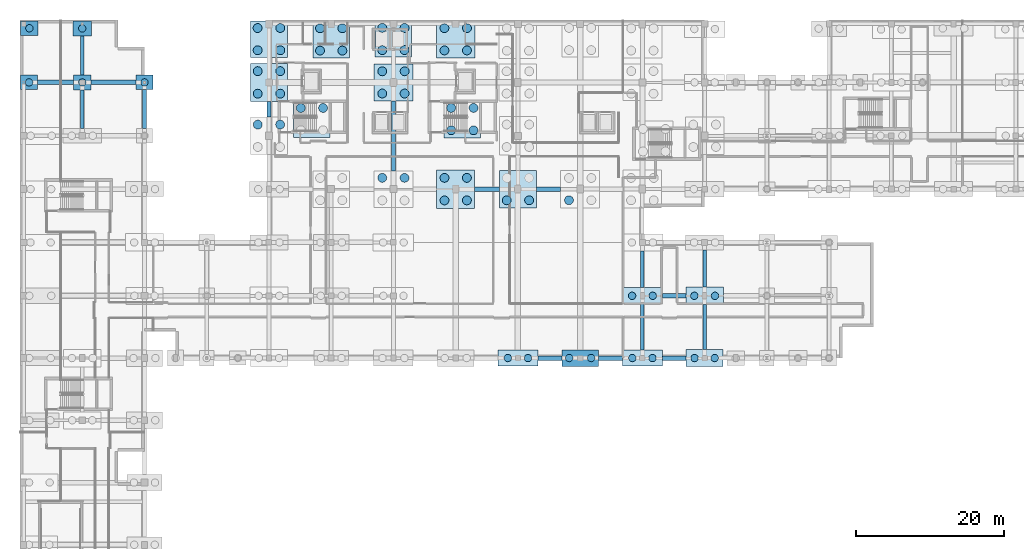
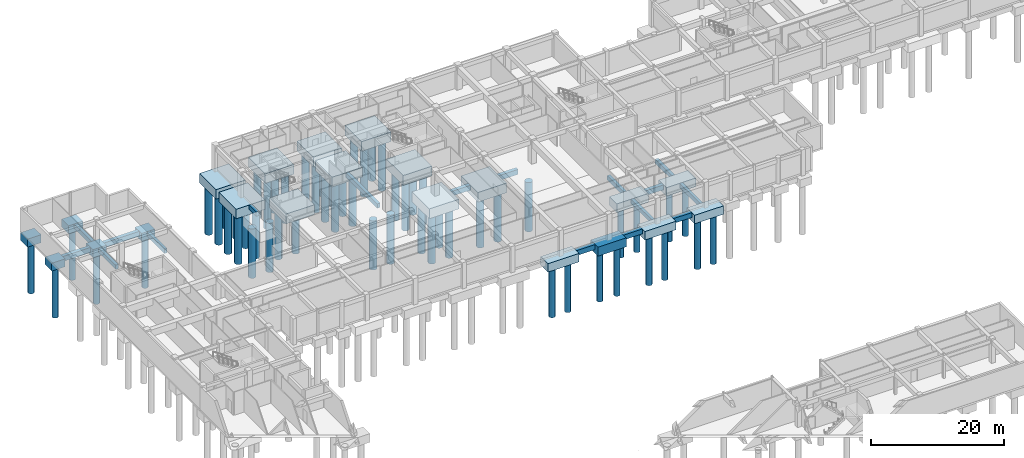
# One storey, part 5 of 42: 58 piles, 38 footings.
"""IFC4 building model written with IfcOpenShell, lengths in metres."""

from ifc_helpers import new_model, si_unit, direction, frame, origin, origin_2d, place, context, subcontext, project, spatial, rectangle, circle, extrude, material, material_profile, profile_set, type_object, element, save


model = new_model("IFC4")

# Units and contexts
model_context = context("Model", 3, precision=1e-05, world=origin(), true_north=direction((0.0, 1.0)))
body_context = subcontext(model_context, "Body", "Model", "MODEL_VIEW")
ifc_project = project(units=[si_unit("LENGTHUNIT", "METRE"), si_unit("AREAUNIT", "SQUARE_METRE"), si_unit("VOLUMEUNIT", "CUBIC_METRE"), si_unit("PLANEANGLEUNIT", "RADIAN"), si_unit("MASSUNIT", "GRAM", prefix="KILO")], contexts=[model_context])

# Site, building, storey
site_placement = place(None, origin())
site = spatial("IfcSite", under=ifc_project, at=site_placement, CompositionType="ELEMENT")
building_placement = place(site_placement, origin())
building = spatial("IfcBuilding", under=site, at=building_placement, Name="Quendrovan Civic Courthouse", CompositionType="ELEMENT")
storey_placement = place(building_placement, frame((0.0, 0.0, -4.5)))
storey = spatial("IfcBuildingStorey", under=building, at=storey_placement, Name="B1", CompositionType="ELEMENT", Elevation=-4.5)

# Footings
ifc_material = material(Name="Concrete C35/45", Category="concrete")
footing_type_1 = type_object("IfcFootingType", Name="FTG-PC1-229x196x143", PredefinedType="PILE_CAP", material=ifc_material)
for number, where, z_axis, x_axis, name in (
    (1, (1.22998046875, 102.0, -1.72998046875), (0.0, 0.0, 1.0), (1.0, 0.0, 0.0), "Pile Cap PC1-06 at 1-P"),
    (2, (16.800048828125, 102.0, -1.72998046875), (0.0, 0.0, 1.0), (1.0, 0.0, 0.0), "Pile Cap PC1-06 at 3-P"),
):
    element("IfcFooting", number, at=place(storey_placement, frame(where, z_axis=z_axis, x_axis=x_axis)), inside=storey, type_object=footing_type_1, Name=name, PredefinedType="PILE_CAP", context=body_context, shape_type="SweptSolid", body=[
        extrude(rectangle(XDim=2.300048828125, YDim=1.9599609375, at=origin_2d()), origin(), (0.0, 0.0, 1.0), 1.429931640625),
    ])
footing_type_2 = type_object("IfcFootingType", Name="FTG-PC1-238x202x146", PredefinedType="PILE_CAP", material=ifc_material)
for number, where, z_axis, x_axis, name in (
    (3, (1.27001953125, 109.31005859375, -1.760009765625), (0.0, 0.0, 1.0), (1.0, 0.0, 0.0), "Pile Cap PC1-07 at 1-Q"),
    (4, (8.39990234375, 102.0, -1.760009765625), (0.0, 0.0, 1.0), (1.0, 0.0, 0.0), "Pile Cap PC1-07 at 2-P"),
):
    element("IfcFooting", number, at=place(storey_placement, frame(where, z_axis=z_axis, x_axis=x_axis)), inside=storey, type_object=footing_type_2, Name=name, PredefinedType="PILE_CAP", context=body_context, shape_type="SweptSolid", body=[
        extrude(rectangle(XDim=2.3798828125, YDim=2.02001953125, at=origin_2d()), origin(), (0.0, 0.0, 1.0), 1.4599609375),
    ])
footing_type_3 = type_object("IfcFootingType", Name="FTG-PC1-246x208x149", PredefinedType="PILE_CAP", material=ifc_material)
footing_1_placement = place(storey_placement, frame((8.39990234375, 109.280029296875, -1.7900390625), z_axis=(0.0, 0.0, 1.0), x_axis=(1.0, 0.0, 0.0)))
element("IfcFooting", 5, at=footing_1_placement, inside=storey, type_object=footing_type_3, Name="Pile Cap PC1-08 at 2-Q", PredefinedType="PILE_CAP", context=body_context, shape_type="SweptSolid", body=[
    extrude(rectangle(XDim=2.4599609375, YDim=2.080078125, at=origin_2d()), origin(), (0.0, 0.0, 1.0), 1.489990234375),
])
footing_type_4 = type_object("IfcFootingType", Name="FTG-PC2-492x224x163", PredefinedType="PILE_CAP", material=ifc_material)
footing_2_placement = place(storey_placement, frame((75.60009765625, 64.800048828125, -1.929931640625), z_axis=(0.0, 0.0, 1.0), x_axis=(1.0, 0.0, 0.0)))
element("IfcFooting", 6, at=footing_2_placement, inside=storey, type_object=footing_type_4, Name="Pile Cap PC2-05 at 10-J", PredefinedType="PILE_CAP", context=body_context, shape_type="SweptSolid", body=[
    extrude(rectangle(XDim=4.919921875, YDim=2.239990234375, at=origin_2d()), origin(), (0.0, 0.0, 1.0), 1.6298828125),
])
footing_type_5 = type_object("IfcFootingType", Name="FTG-PC2-500x229x155", PredefinedType="PILE_CAP", material=ifc_material)
footing_3_placement = place(storey_placement, frame((92.39990234375, 64.800048828125, -1.85009765625), z_axis=(0.0, 0.0, 1.0), x_axis=(1.0, 0.0, 0.0)))
element("IfcFooting", 7, at=footing_3_placement, inside=storey, type_object=footing_type_5, Name="Pile Cap PC2-06 at 12-J", PredefinedType="PILE_CAP", context=body_context, shape_type="SweptSolid", body=[
    extrude(rectangle(XDim=5.0, YDim=2.300048828125, at=origin_2d()), origin(), (0.0, 0.0, 1.0), 1.550048828125),
])
footing_type_6 = type_object("IfcFootingType", Name="FTG-PC2-508x236x157", PredefinedType="PILE_CAP", material=ifc_material)
footing_4_placement = place(storey_placement, frame((92.39990234375, 73.199951171875, -1.8701171875), z_axis=(0.0, 0.0, 1.0), x_axis=(1.0, 0.0, 0.0)))
element("IfcFooting", 8, at=footing_4_placement, inside=storey, type_object=footing_type_6, Name="Pile Cap PC2-07 at 12-K", PredefinedType="PILE_CAP", context=body_context, shape_type="SweptSolid", body=[
    extrude(rectangle(XDim=5.080078125, YDim=2.360107421875, at=origin_2d()), origin(), (0.0, 0.0, 1.0), 1.570068359375),
])
footing_type_7 = type_object("IfcFootingType", Name="FTG-PC2-540x218x155", PredefinedType="PILE_CAP", material=ifc_material)
for number, where, z_axis, x_axis, name in (
    (9, (67.199951171875, 64.800048828125, -1.85009765625), (0.0, 0.0, 1.0), (1.0, 0.0, 0.0), "Pile Cap PC2-11 at 9-J"),
    (10, (84.0, 64.800048828125, -1.85009765625), (0.0, 0.0, 1.0), (1.0, 0.0, 0.0), "Pile Cap PC2-11 at 11-J"),
):
    element("IfcFooting", number, at=place(storey_placement, frame(where, z_axis=z_axis, x_axis=x_axis)), inside=storey, type_object=footing_type_7, Name=name, PredefinedType="PILE_CAP", context=body_context, shape_type="SweptSolid", body=[
        extrude(rectangle(XDim=5.39990234375, YDim=2.179931640625, at=origin_2d()), origin(), (0.0, 0.0, 1.0), 1.550048828125),
    ])
footing_type_8 = type_object("IfcFootingType", Name="FTG-PC2-548x224x157", PredefinedType="PILE_CAP", material=ifc_material)
footing_5_placement = place(storey_placement, frame((84.0, 73.199951171875, -1.8701171875), z_axis=(0.0, 0.0, 1.0), x_axis=(1.0, 0.0, 0.0)))
element("IfcFooting", 11, at=footing_5_placement, inside=storey, type_object=footing_type_8, Name="Pile Cap PC2-12 at 11-K", PredefinedType="PILE_CAP", context=body_context, shape_type="SweptSolid", body=[
    extrude(rectangle(XDim=5.47998046875, YDim=2.239990234375, at=origin_2d()), origin(), (0.0, 0.0, 1.0), 1.570068359375),
])
footing_type_9 = type_object("IfcFootingType", Name="FTG-PC4-492x492x180", PredefinedType="PILE_CAP", material=ifc_material)
for number, where, z_axis, x_axis, name in (
    (12, (50.39990234375, 107.860107421875, -2.10009765625), (0.0, 0.0, 1.0), (1.0, 0.0, 0.0), "Pile Cap PC4-01 at 7-Q"),
    (13, (39.39990234375, 97.050048828125, -2.10009765625), (0.0, 0.0, 1.0), (1.0, 0.0, 0.0), "Core Pile Cap C1"),
):
    element("IfcFooting", number, at=place(storey_placement, frame(where, z_axis=z_axis, x_axis=x_axis)), inside=storey, type_object=footing_type_9, Name=name, PredefinedType="PILE_CAP", context=body_context, shape_type="SweptSolid", body=[
        extrude(rectangle(XDim=4.919921875, YDim=4.919921875, at=origin_2d()), origin(), (0.0, 0.0, 1.0), 1.800048828125),
    ])
footing_type_10 = type_object("IfcFootingType", Name="FTG-PC4-496x504x178", PredefinedType="PILE_CAP", material=ifc_material)
for number, where, z_axis, x_axis, name in (
    (14, (42.0, 107.800048828125, -2.080078125), (0.0, 0.0, 1.0), (1.0, 0.0, 0.0), "Pile Cap PC4-02 at 6-Q"),
    (15, (67.199951171875, 87.60009765625, -2.080078125), (0.0, 0.0, 1.0), (1.0, 0.0, 0.0), "Pile Cap PC4-02 at 9-M"),
    (16, (59.699951171875, 97.050048828125, -2.080078125), (0.0, 0.0, 1.0), (1.0, 0.0, 0.0), "Core Pile Cap C2"),
):
    element("IfcFooting", number, at=place(storey_placement, frame(where, z_axis=z_axis, x_axis=x_axis)), inside=storey, type_object=footing_type_10, Name=name, PredefinedType="PILE_CAP", context=body_context, shape_type="SweptSolid", body=[
        extrude(rectangle(XDim=4.9599609375, YDim=5.0400390625, at=origin_2d()), origin(), (0.0, 0.0, 1.0), 1.780029296875),
    ])
footing_type_11 = type_object("IfcFootingType", Name="FTG-PC4-500x516x176", PredefinedType="PILE_CAP", material=ifc_material)
footing_6_placement = place(storey_placement, frame((33.60009765625, 102.0, -2.06005859375), z_axis=(0.0, 0.0, 1.0), x_axis=(1.0, 0.0, 0.0)))
element("IfcFooting", 17, at=footing_6_placement, inside=storey, type_object=footing_type_11, Name="Pile Cap PC4-03 at 5-P", PredefinedType="PILE_CAP", context=body_context, shape_type="SweptSolid", body=[
    extrude(rectangle(XDim=5.0, YDim=5.159912109375, at=origin_2d()), origin(), (0.0, 0.0, 1.0), 1.760009765625),
])
footing_type_12 = type_object("IfcFootingType", Name="FTG-PC4-504x496x174", PredefinedType="PILE_CAP", material=ifc_material)
footing_7_placement = place(storey_placement, frame((33.60009765625, 107.840087890625, -2.0400390625), z_axis=(0.0, 0.0, 1.0), x_axis=(1.0, 0.0, 0.0)))
element("IfcFooting", 18, at=footing_7_placement, inside=storey, type_object=footing_type_12, Name="Pile Cap PC4-04 at 5-Q", PredefinedType="PILE_CAP", context=body_context, shape_type="SweptSolid", body=[
    extrude(rectangle(XDim=5.0400390625, YDim=4.9599609375, at=origin_2d()), origin(), (0.0, 0.0, 1.0), 1.739990234375),
])
footing_type_13 = type_object("IfcFootingType", Name="FTG-PC4-512x520x178", PredefinedType="PILE_CAP", material=ifc_material)
footing_8_placement = place(storey_placement, frame((58.800048828125, 87.60009765625, -2.080078125), z_axis=(0.0, 0.0, 1.0), x_axis=(1.0, 0.0, 0.0)))
element("IfcFooting", 19, at=footing_8_placement, inside=storey, type_object=footing_type_13, Name="Pile Cap PC4-06 at 8-M", PredefinedType="PILE_CAP", context=body_context, shape_type="SweptSolid", body=[
    extrude(rectangle(XDim=5.1201171875, YDim=5.199951171875, at=origin_2d()), origin(), (0.0, 0.0, 1.0), 1.780029296875),
])
footing_type_14 = type_object("IfcFootingType", Name="FTG-PC4-516x500x176", PredefinedType="PILE_CAP", material=ifc_material)
footing_9_placement = place(storey_placement, frame((58.800048828125, 107.820068359375, -2.06005859375), z_axis=(0.0, 0.0, 1.0), x_axis=(1.0, 0.0, 0.0)))
element("IfcFooting", 20, at=footing_9_placement, inside=storey, type_object=footing_type_14, Name="Pile Cap PC4-07 at 8-Q", PredefinedType="PILE_CAP", context=body_context, shape_type="SweptSolid", body=[
    extrude(rectangle(XDim=5.159912109375, YDim=5.0, at=origin_2d()), origin(), (0.0, 0.0, 1.0), 1.760009765625),
])
footing_type_15 = type_object("IfcFootingType", Name="FTG-PC4-528x504x178", PredefinedType="PILE_CAP", material=ifc_material)
footing_10_placement = place(storey_placement, frame((50.39990234375, 102.0, -2.080078125), z_axis=(0.0, 0.0, 1.0), x_axis=(1.0, 0.0, 0.0)))
element("IfcFooting", 21, at=footing_10_placement, inside=storey, type_object=footing_type_15, Name="Pile Cap PC4-10 at 7-P", PredefinedType="PILE_CAP", context=body_context, shape_type="SweptSolid", body=[
    extrude(rectangle(XDim=5.280029296875, YDim=5.0400390625, at=origin_2d()), origin(), (0.0, 0.0, 1.0), 1.780029296875),
])
footing_type_16 = type_object("IfcFootingType", Name="FTG-TBX-3200", PredefinedType="FOOTING_BEAM", material=ifc_material)
for number, where, z_axis, x_axis, name in (
    (22, (71.52001953125, 64.800048828125, -1.199951171875), (0.0, 0.0, 1.0), (1.0, 0.0, 0.0), "Seismic Tie Beam TB-X-036"),
    (23, (79.679931640625, 64.800048828125, -1.199951171875), (0.0, 0.0, 1.0), (1.0, 0.0, 0.0), "Seismic Tie Beam TB-X-037"),
):
    element("IfcFooting", number, at=place(storey_placement, frame(where, z_axis=z_axis, x_axis=x_axis)), inside=storey, type_object=footing_type_16, Name=name, PredefinedType="FOOTING_BEAM", context=body_context, shape_type="SweptSolid", body=[
        extrude(rectangle(XDim=3.239990234375, YDim=0.60009765625, at=origin_2d()), origin(), (0.0, 0.0, 1.0), 0.89990234375),
    ])
footing_11_placement = place(storey_placement, frame((88.300048828125, 64.800048828125, -1.199951171875), z_axis=(0.0, 0.0, 1.0), x_axis=(1.0, 0.0, 0.0)))
element("IfcFooting", 24, at=footing_11_placement, inside=storey, type_object=footing_type_16, Name="Seismic Tie Beam TB-X-038", PredefinedType="FOOTING_BEAM", context=body_context, shape_type="SweptSolid", body=[
    extrude(rectangle(XDim=3.199951171875, YDim=0.60009765625, at=origin_2d()), origin(), (0.0, 0.0, 1.0), 0.89990234375),
])
footing_12_placement = place(storey_placement, frame((88.300048828125, 73.199951171875, -1.199951171875), z_axis=(0.0, 0.0, 1.0), x_axis=(1.0, 0.0, 0.0)))
element("IfcFooting", 25, at=footing_12_placement, inside=storey, type_object=footing_type_16, Name="Seismic Tie Beam TB-X-047", PredefinedType="FOOTING_BEAM", context=body_context, shape_type="SweptSolid", body=[
    extrude(rectangle(XDim=3.1201171875, YDim=0.60009765625, at=origin_2d()), origin(), (0.0, 0.0, 1.0), 0.89990234375),
])
footing_13_placement = place(storey_placement, frame((71.320068359375, 87.60009765625, -1.199951171875), z_axis=(0.0, 0.0, 1.0), x_axis=(1.0, 0.0, 0.0)))
element("IfcFooting", 26, at=footing_13_placement, inside=storey, type_object=footing_type_16, Name="Seismic Tie Beam TB-X-063", PredefinedType="FOOTING_BEAM", context=body_context, shape_type="SweptSolid", body=[
    extrude(rectangle(XDim=3.280029296875, YDim=0.60009765625, at=origin_2d()), origin(), (0.0, 0.0, 1.0), 0.89990234375),
])
footing_type_17 = type_object("IfcFootingType", Name="FTG-TBX-3400", PredefinedType="FOOTING_BEAM", material=ifc_material)
footing_14_placement = place(storey_placement, frame((63.0400390625, 87.60009765625, -1.199951171875), z_axis=(0.0, 0.0, 1.0), x_axis=(1.0, 0.0, 0.0)))
element("IfcFooting", 27, at=footing_14_placement, inside=storey, type_object=footing_type_17, Name="Seismic Tie Beam TB-X-062", PredefinedType="FOOTING_BEAM", context=body_context, shape_type="SweptSolid", body=[
    extrude(rectangle(XDim=3.360107421875, YDim=0.60009765625, at=origin_2d()), origin(), (0.0, 0.0, 1.0), 0.89990234375),
])
footing_type_18 = type_object("IfcFootingType", Name="FTG-TBX-4800", PredefinedType="FOOTING_BEAM", material=ifc_material)
footing_15_placement = place(storey_placement, frame((4.794921875, 102.0, -1.199951171875), z_axis=(0.0, 0.0, 1.0), x_axis=(1.0, 0.0, 0.0)))
element("IfcFooting", 28, at=footing_15_placement, inside=storey, type_object=footing_type_18, Name="Seismic Tie Beam TB-X-081", PredefinedType="FOOTING_BEAM", context=body_context, shape_type="SweptSolid", body=[
    extrude(rectangle(XDim=4.830078125, YDim=0.60009765625, at=origin_2d()), origin(), (0.0, 0.0, 1.0), 0.89990234375),
])
footing_type_19 = type_object("IfcFootingType", Name="FTG-TBX-6000", PredefinedType="FOOTING_BEAM", material=ifc_material)
footing_16_placement = place(storey_placement, frame((12.6201171875, 102.0, -1.199951171875), z_axis=(0.0, 0.0, 1.0), x_axis=(1.0, 0.0, 0.0)))
element("IfcFooting", 29, at=footing_16_placement, inside=storey, type_object=footing_type_19, Name="Seismic Tie Beam TB-X-082", PredefinedType="FOOTING_BEAM", context=body_context, shape_type="SweptSolid", body=[
    extrude(rectangle(XDim=6.06005859375, YDim=0.60009765625, at=origin_2d()), origin(), (0.0, 0.0, 1.0), 0.89990234375),
])
footing_type_20 = type_object("IfcFootingType", Name="FTG-TBY-2200", PredefinedType="FOOTING_BEAM", material=ifc_material)
footing_17_placement = place(storey_placement, frame((33.60009765625, 98.3701171875, -1.10009765625), z_axis=(0.0, 0.0, 1.0), x_axis=(1.0, 0.0, 0.0)))
element("IfcFooting", 30, at=footing_17_placement, inside=storey, type_object=footing_type_20, Name="Seismic Tie Beam TB-Y-119", PredefinedType="FOOTING_BEAM", context=body_context, shape_type="SweptSolid", body=[
    extrude(rectangle(XDim=0.5, YDim=2.10009765625, at=origin_2d()), origin(), (0.0, 0.0, 1.0), 0.800048828125),
])
footing_type_21 = type_object("IfcFootingType", Name="FTG-TBY-5000", PredefinedType="FOOTING_BEAM", material=ifc_material)
footing_18_placement = place(storey_placement, frame((84.0, 76.784912109375, -1.10009765625), z_axis=(0.0, 0.0, 1.0), x_axis=(1.0, 0.0, 0.0)))
element("IfcFooting", 31, at=footing_18_placement, inside=storey, type_object=footing_type_21, Name="Seismic Tie Beam TB-Y-142", PredefinedType="FOOTING_BEAM", context=body_context, shape_type="SweptSolid", body=[
    extrude(rectangle(XDim=0.5, YDim=4.929931640625, at=origin_2d()), origin(), (0.0, 0.0, 1.0), 0.800048828125),
])
footing_19_placement = place(storey_placement, frame((92.39990234375, 76.889892578125, -1.10009765625), z_axis=(0.0, 0.0, 1.0), x_axis=(1.0, 0.0, 0.0)))
element("IfcFooting", 32, at=footing_19_placement, inside=storey, type_object=footing_type_21, Name="Seismic Tie Beam TB-Y-147", PredefinedType="FOOTING_BEAM", context=body_context, shape_type="SweptSolid", body=[
    extrude(rectangle(XDim=0.5, YDim=5.02001953125, at=origin_2d()), origin(), (0.0, 0.0, 1.0), 0.800048828125),
])
footing_type_22 = type_object("IfcFootingType", Name="FTG-TBY-5200", PredefinedType="FOOTING_BEAM", material=ifc_material)
footing_20_placement = place(storey_placement, frame((8.39990234375, 98.39501953125, -1.10009765625), z_axis=(0.0, 0.0, 1.0), x_axis=(1.0, 0.0, 0.0)))
element("IfcFooting", 33, at=footing_20_placement, inside=storey, type_object=footing_type_22, Name="Seismic Tie Beam TB-Y-094", PredefinedType="FOOTING_BEAM", context=body_context, shape_type="SweptSolid", body=[
    extrude(rectangle(XDim=0.5, YDim=5.18994140625, at=origin_2d()), origin(), (0.0, 0.0, 1.0), 0.800048828125),
])
footing_21_placement = place(storey_placement, frame((8.39990234375, 105.625, -1.10009765625), z_axis=(0.0, 0.0, 1.0), x_axis=(1.0, 0.0, 0.0)))
element("IfcFooting", 34, at=footing_21_placement, inside=storey, type_object=footing_type_22, Name="Seismic Tie Beam TB-Y-095", PredefinedType="FOOTING_BEAM", context=body_context, shape_type="SweptSolid", body=[
    extrude(rectangle(XDim=0.5, YDim=5.22998046875, at=origin_2d()), origin(), (0.0, 0.0, 1.0), 0.800048828125),
])
footing_22_placement = place(storey_placement, frame((16.800048828125, 98.385009765625, -1.10009765625), z_axis=(0.0, 0.0, 1.0), x_axis=(1.0, 0.0, 0.0)))
element("IfcFooting", 35, at=footing_22_placement, inside=storey, type_object=footing_type_22, Name="Seismic Tie Beam TB-Y-108", PredefinedType="FOOTING_BEAM", context=body_context, shape_type="SweptSolid", body=[
    extrude(rectangle(XDim=0.5, YDim=5.27001953125, at=origin_2d()), origin(), (0.0, 0.0, 1.0), 0.800048828125),
])
footing_type_23 = type_object("IfcFootingType", Name="FTG-TBY-6000", PredefinedType="FOOTING_BEAM", material=ifc_material)
footing_23_placement = place(storey_placement, frame((92.39990234375, 68.985107421875, -1.10009765625), z_axis=(0.0, 0.0, 1.0), x_axis=(1.0, 0.0, 0.0)))
element("IfcFooting", 36, at=footing_23_placement, inside=storey, type_object=footing_type_23, Name="Seismic Tie Beam TB-Y-146", PredefinedType="FOOTING_BEAM", context=body_context, shape_type="SweptSolid", body=[
    extrude(rectangle(XDim=0.5, YDim=6.070068359375, at=origin_2d()), origin(), (0.0, 0.0, 1.0), 0.800048828125),
])
footing_type_24 = type_object("IfcFootingType", Name="FTG-TBY-6200", PredefinedType="FOOTING_BEAM", material=ifc_material)
footing_24_placement = place(storey_placement, frame((84.0, 68.985107421875, -1.10009765625), z_axis=(0.0, 0.0, 1.0), x_axis=(1.0, 0.0, 0.0)))
element("IfcFooting", 37, at=footing_24_placement, inside=storey, type_object=footing_type_24, Name="Seismic Tie Beam TB-Y-141", PredefinedType="FOOTING_BEAM", context=body_context, shape_type="SweptSolid", body=[
    extrude(rectangle(XDim=0.5, YDim=6.18994140625, at=origin_2d()), origin(), (0.0, 0.0, 1.0), 0.800048828125),
])
footing_type_25 = type_object("IfcFootingType", Name="FTG-TBY-9400", PredefinedType="FOOTING_BEAM", material=ifc_material)
footing_25_placement = place(storey_placement, frame((50.39990234375, 94.77001953125, -1.10009765625), z_axis=(0.0, 0.0, 1.0), x_axis=(1.0, 0.0, 0.0)))
element("IfcFooting", 38, at=footing_25_placement, inside=storey, type_object=footing_type_25, Name="Seismic Tie Beam TB-Y-130", PredefinedType="FOOTING_BEAM", context=body_context, shape_type="SweptSolid", body=[
    extrude(rectangle(XDim=0.5, YDim=9.419921875, at=origin_2d()), origin(), (0.0, 0.0, 1.0), 0.800048828125),
])

# Piles
ifc_material_profile_1 = material_profile(ifc_material, circle(Radius=0.5, at=origin_2d()), Name="PILE-D1000")
ifc_profile_set_1 = profile_set([ifc_material_profile_1], Name="Concrete C35/45")
pile_type_1 = type_object("IfcPileType", Name="PILE-B1000", PredefinedType="BORED", material=ifc_profile_set_1)
pile_1_placement = place(storey_placement, frame((1.22998046875, 102.0, -1.6298828125), z_axis=(0.0, 0.0, -1.0), x_axis=(1.0, 0.0, 0.0)))
element("IfcPile", 39, at=pile_1_placement, inside=storey, type_object=pile_type_1, Name="Bored Pile PILE-1-P-1", PredefinedType="BORED", context=body_context, shape_type="SweptSolid", body=[
    extrude(circle(Radius=0.5, at=origin_2d()), origin(), (0.0, 0.0, 1.0), 9.3701171875),
])
for number, where, z_axis, x_axis, name in (
    (40, (1.27001953125, 109.31005859375, -1.659912109375), (0.0, 0.0, -1.0), (1.0, 0.0, 0.0), "Bored Pile PILE-1-Q-1"),
    (41, (8.39990234375, 102.0, -1.659912109375), (0.0, 0.0, -1.0), (1.0, 0.0, 0.0), "Bored Pile PILE-2-P-1"),
):
    element("IfcPile", number, at=place(storey_placement, frame(where, z_axis=z_axis, x_axis=x_axis)), inside=storey, type_object=pile_type_1, Name=name, PredefinedType="BORED", context=body_context, shape_type="SweptSolid", body=[
        extrude(circle(Radius=0.5, at=origin_2d()), origin(), (0.0, 0.0, 1.0), 9.340087890625),
    ])
pile_2_placement = place(storey_placement, frame((8.39990234375, 109.280029296875, -1.68994140625), z_axis=(0.0, 0.0, -1.0), x_axis=(1.0, 0.0, 0.0)))
element("IfcPile", 42, at=pile_2_placement, inside=storey, type_object=pile_type_1, Name="Bored Pile PILE-2-Q-1", PredefinedType="BORED", context=body_context, shape_type="SweptSolid", body=[
    extrude(circle(Radius=0.5, at=origin_2d()), origin(), (0.0, 0.0, 1.0), 9.31005859375),
])
pile_3_placement = place(storey_placement, frame((16.800048828125, 102.0, -1.6298828125), z_axis=(0.0, 0.0, -1.0), x_axis=(1.0, 0.0, 0.0)))
element("IfcPile", 43, at=pile_3_placement, inside=storey, type_object=pile_type_1, Name="Bored Pile PILE-3-P-1", PredefinedType="BORED", context=body_context, shape_type="SweptSolid", body=[
    extrude(circle(Radius=0.5, at=origin_2d()), origin(), (0.0, 0.0, 1.0), 9.3701171875),
])
for number, where, z_axis, x_axis, name in (
    (44, (65.840087890625, 64.800048828125, -1.75), (0.0, 0.0, -1.0), (1.0, 0.0, 0.0), "Bored Pile PILE-9-J-1"),
    (45, (68.56005859375, 64.800048828125, -1.75), (0.0, 0.0, -1.0), (1.0, 0.0, 0.0), "Bored Pile PILE-9-J-2"),
):
    element("IfcPile", number, at=place(storey_placement, frame(where, z_axis=z_axis, x_axis=x_axis)), inside=storey, type_object=pile_type_1, Name=name, PredefinedType="BORED", context=body_context, shape_type="SweptSolid", body=[
        extrude(circle(Radius=0.5, at=origin_2d()), origin(), (0.0, 0.0, 1.0), 9.25),
    ])
for number, where, z_axis, x_axis, name in (
    (46, (74.1201171875, 64.800048828125, -1.830078125), (0.0, 0.0, -1.0), (1.0, 0.0, 0.0), "Bored Pile PILE-10-J-1"),
    (47, (77.080078125, 64.800048828125, -1.830078125), (0.0, 0.0, -1.0), (1.0, 0.0, 0.0), "Bored Pile PILE-10-J-2"),
):
    element("IfcPile", number, at=place(storey_placement, frame(where, z_axis=z_axis, x_axis=x_axis)), inside=storey, type_object=pile_type_1, Name=name, PredefinedType="BORED", context=body_context, shape_type="SweptSolid", body=[
        extrude(circle(Radius=0.5, at=origin_2d()), origin(), (0.0, 0.0, 1.0), 9.169921875),
    ])
for number, where, z_axis, x_axis, name in (
    (48, (82.639892578125, 64.800048828125, -1.75), (0.0, 0.0, -1.0), (1.0, 0.0, 0.0), "Bored Pile PILE-11-J-1"),
    (49, (85.360107421875, 64.800048828125, -1.75), (0.0, 0.0, -1.0), (1.0, 0.0, 0.0), "Bored Pile PILE-11-J-2"),
):
    element("IfcPile", number, at=place(storey_placement, frame(where, z_axis=z_axis, x_axis=x_axis)), inside=storey, type_object=pile_type_1, Name=name, PredefinedType="BORED", context=body_context, shape_type="SweptSolid", body=[
        extrude(circle(Radius=0.5, at=origin_2d()), origin(), (0.0, 0.0, 1.0), 9.25),
    ])
for number, where, z_axis, x_axis, name in (
    (50, (82.610107421875, 73.199951171875, -1.77001953125), (0.0, 0.0, -1.0), (1.0, 0.0, 0.0), "Bored Pile PILE-11-K-1"),
    (51, (85.389892578125, 73.199951171875, -1.77001953125), (0.0, 0.0, -1.0), (1.0, 0.0, 0.0), "Bored Pile PILE-11-K-2"),
):
    element("IfcPile", number, at=place(storey_placement, frame(where, z_axis=z_axis, x_axis=x_axis)), inside=storey, type_object=pile_type_1, Name=name, PredefinedType="BORED", context=body_context, shape_type="SweptSolid", body=[
        extrude(circle(Radius=0.5, at=origin_2d()), origin(), (0.0, 0.0, 1.0), 9.22998046875),
    ])
for number, where, z_axis, x_axis, name in (
    (52, (91.0400390625, 64.800048828125, -1.75), (0.0, 0.0, -1.0), (1.0, 0.0, 0.0), "Bored Pile PILE-12-J-1"),
    (53, (93.760009765625, 64.800048828125, -1.75), (0.0, 0.0, -1.0), (1.0, 0.0, 0.0), "Bored Pile PILE-12-J-2"),
):
    element("IfcPile", number, at=place(storey_placement, frame(where, z_axis=z_axis, x_axis=x_axis)), inside=storey, type_object=pile_type_1, Name=name, PredefinedType="BORED", context=body_context, shape_type="SweptSolid", body=[
        extrude(circle(Radius=0.5, at=origin_2d()), origin(), (0.0, 0.0, 1.0), 9.25),
    ])
for number, where, z_axis, x_axis, name in (
    (54, (91.010009765625, 73.199951171875, -1.77001953125), (0.0, 0.0, -1.0), (1.0, 0.0, 0.0), "Bored Pile PILE-12-K-1"),
    (55, (93.7900390625, 73.199951171875, -1.77001953125), (0.0, 0.0, -1.0), (1.0, 0.0, 0.0), "Bored Pile PILE-12-K-2"),
):
    element("IfcPile", number, at=place(storey_placement, frame(where, z_axis=z_axis, x_axis=x_axis)), inside=storey, type_object=pile_type_1, Name=name, PredefinedType="BORED", context=body_context, shape_type="SweptSolid", body=[
        extrude(circle(Radius=0.5, at=origin_2d()), origin(), (0.0, 0.0, 1.0), 9.22998046875),
    ])
ifc_material_profile_2 = material_profile(ifc_material, circle(Radius=0.60009765625, at=origin_2d()), Name="PILE-D1200")
ifc_profile_set_2 = profile_set([ifc_material_profile_2], Name="Concrete C35/45")
pile_type_2 = type_object("IfcPileType", Name="PILE-B1200", PredefinedType="BORED", material=ifc_profile_set_2)
for number, where, z_axis, x_axis, name in (
    (56, (32.090087890625, 96.31005859375, -1.97998046875), (0.0, 0.0, -1.0), (1.0, 0.0, 0.0), "Bored Pile PILE-5-N-3"),
    (57, (35.110107421875, 96.31005859375, -1.97998046875), (0.0, 0.0, -1.0), (1.0, 0.0, 0.0), "Bored Pile PILE-5-N-4"),
):
    element("IfcPile", number, at=place(storey_placement, frame(where, z_axis=z_axis, x_axis=x_axis)), inside=storey, type_object=pile_type_2, Name=name, PredefinedType="BORED", context=body_context, shape_type="SweptSolid", body=[
        extrude(circle(Radius=0.60009765625, at=origin_2d()), origin(), (0.0, 0.0, 1.0), 9.02001953125),
    ])
for number, where, z_axis, x_axis, name in (
    (58, (32.080078125, 100.47998046875, -1.9599609375), (0.0, 0.0, -1.0), (1.0, 0.0, 0.0), "Bored Pile PILE-5-P-1"),
    (59, (35.1201171875, 100.47998046875, -1.9599609375), (0.0, 0.0, -1.0), (1.0, 0.0, 0.0), "Bored Pile PILE-5-P-2"),
    (60, (32.080078125, 103.52001953125, -1.9599609375), (0.0, 0.0, -1.0), (1.0, 0.0, 0.0), "Bored Pile PILE-5-P-3"),
    (61, (35.1201171875, 103.52001953125, -1.9599609375), (0.0, 0.0, -1.0), (1.0, 0.0, 0.0), "Bored Pile PILE-5-P-4"),
):
    element("IfcPile", number, at=place(storey_placement, frame(where, z_axis=z_axis, x_axis=x_axis)), inside=storey, type_object=pile_type_2, Name=name, PredefinedType="BORED", context=body_context, shape_type="SweptSolid", body=[
        extrude(circle(Radius=0.60009765625, at=origin_2d()), origin(), (0.0, 0.0, 1.0), 9.0400390625),
    ])
for number, where, z_axis, x_axis, name in (
    (62, (32.070068359375, 106.340087890625, -1.93994140625), (0.0, 0.0, -1.0), (1.0, 0.0, 0.0), "Bored Pile PILE-5-Q-1"),
    (63, (35.1298828125, 106.340087890625, -1.93994140625), (0.0, 0.0, -1.0), (1.0, 0.0, 0.0), "Bored Pile PILE-5-Q-2"),
    (64, (32.070068359375, 109.340087890625, -1.93994140625), (0.0, 0.0, -1.0), (1.0, 0.0, 0.0), "Bored Pile PILE-5-Q-3"),
    (65, (35.1298828125, 109.340087890625, -1.93994140625), (0.0, 0.0, -1.0), (1.0, 0.0, 0.0), "Bored Pile PILE-5-Q-4"),
):
    element("IfcPile", number, at=place(storey_placement, frame(where, z_axis=z_axis, x_axis=x_axis)), inside=storey, type_object=pile_type_2, Name=name, PredefinedType="BORED", context=body_context, shape_type="SweptSolid", body=[
        extrude(circle(Radius=0.60009765625, at=origin_2d()), origin(), (0.0, 0.0, 1.0), 9.06005859375),
    ])
for number, where, z_axis, x_axis, name in (
    (66, (40.489990234375, 106.2900390625, -1.97998046875), (0.0, 0.0, -1.0), (1.0, 0.0, 0.0), "Bored Pile PILE-6-Q-1"),
    (67, (43.510009765625, 106.2900390625, -1.97998046875), (0.0, 0.0, -1.0), (1.0, 0.0, 0.0), "Bored Pile PILE-6-Q-2"),
    (68, (40.489990234375, 109.31005859375, -1.97998046875), (0.0, 0.0, -1.0), (1.0, 0.0, 0.0), "Bored Pile PILE-6-Q-3"),
    (69, (43.510009765625, 109.31005859375, -1.97998046875), (0.0, 0.0, -1.0), (1.0, 0.0, 0.0), "Bored Pile PILE-6-Q-4"),
):
    element("IfcPile", number, at=place(storey_placement, frame(where, z_axis=z_axis, x_axis=x_axis)), inside=storey, type_object=pile_type_2, Name=name, PredefinedType="BORED", context=body_context, shape_type="SweptSolid", body=[
        extrude(circle(Radius=0.60009765625, at=origin_2d()), origin(), (0.0, 0.0, 1.0), 9.02001953125),
    ])
for number, where, z_axis, x_axis, name in (
    (70, (48.89990234375, 89.1201171875, -2.0), (0.0, 0.0, -1.0), (1.0, 0.0, 0.0), "Bored Pile PILE-7-M-3"),
    (71, (51.89990234375, 89.1201171875, -2.0), (0.0, 0.0, -1.0), (1.0, 0.0, 0.0), "Bored Pile PILE-7-M-4"),
):
    element("IfcPile", number, at=place(storey_placement, frame(where, z_axis=z_axis, x_axis=x_axis)), inside=storey, type_object=pile_type_2, Name=name, PredefinedType="BORED", context=body_context, shape_type="SweptSolid", body=[
        extrude(circle(Radius=0.60009765625, at=origin_2d()), origin(), (0.0, 0.0, 1.0), 9.0),
    ])
for number, where, z_axis, x_axis, name in (
    (72, (48.889892578125, 100.5, -1.97998046875), (0.0, 0.0, -1.0), (1.0, 0.0, 0.0), "Bored Pile PILE-7-P-1"),
    (73, (51.909912109375, 100.5, -1.97998046875), (0.0, 0.0, -1.0), (1.0, 0.0, 0.0), "Bored Pile PILE-7-P-2"),
    (74, (48.889892578125, 103.5, -1.97998046875), (0.0, 0.0, -1.0), (1.0, 0.0, 0.0), "Bored Pile PILE-7-P-3"),
    (75, (51.909912109375, 103.5, -1.97998046875), (0.0, 0.0, -1.0), (1.0, 0.0, 0.0), "Bored Pile PILE-7-P-4"),
):
    element("IfcPile", number, at=place(storey_placement, frame(where, z_axis=z_axis, x_axis=x_axis)), inside=storey, type_object=pile_type_2, Name=name, PredefinedType="BORED", context=body_context, shape_type="SweptSolid", body=[
        extrude(circle(Radius=0.60009765625, at=origin_2d()), origin(), (0.0, 0.0, 1.0), 9.02001953125),
    ])
for number, where, z_axis, x_axis, name in (
    (76, (48.89990234375, 106.360107421875, -2.0), (0.0, 0.0, -1.0), (1.0, 0.0, 0.0), "Bored Pile PILE-7-Q-1"),
    (77, (51.89990234375, 106.360107421875, -2.0), (0.0, 0.0, -1.0), (1.0, 0.0, 0.0), "Bored Pile PILE-7-Q-2"),
    (78, (48.89990234375, 109.360107421875, -2.0), (0.0, 0.0, -1.0), (1.0, 0.0, 0.0), "Bored Pile PILE-7-Q-3"),
    (79, (51.89990234375, 109.360107421875, -2.0), (0.0, 0.0, -1.0), (1.0, 0.0, 0.0), "Bored Pile PILE-7-Q-4"),
):
    element("IfcPile", number, at=place(storey_placement, frame(where, z_axis=z_axis, x_axis=x_axis)), inside=storey, type_object=pile_type_2, Name=name, PredefinedType="BORED", context=body_context, shape_type="SweptSolid", body=[
        extrude(circle(Radius=0.60009765625, at=origin_2d()), origin(), (0.0, 0.0, 1.0), 9.0),
    ])
for number, where, z_axis, x_axis, name in (
    (80, (57.2900390625, 86.080078125, -1.97998046875), (0.0, 0.0, -1.0), (1.0, 0.0, 0.0), "Bored Pile PILE-8-M-1"),
    (81, (60.31005859375, 86.080078125, -1.97998046875), (0.0, 0.0, -1.0), (1.0, 0.0, 0.0), "Bored Pile PILE-8-M-2"),
    (82, (57.2900390625, 89.1201171875, -1.97998046875), (0.0, 0.0, -1.0), (1.0, 0.0, 0.0), "Bored Pile PILE-8-M-3"),
    (83, (60.31005859375, 89.1201171875, -1.97998046875), (0.0, 0.0, -1.0), (1.0, 0.0, 0.0), "Bored Pile PILE-8-M-4"),
):
    element("IfcPile", number, at=place(storey_placement, frame(where, z_axis=z_axis, x_axis=x_axis)), inside=storey, type_object=pile_type_2, Name=name, PredefinedType="BORED", context=body_context, shape_type="SweptSolid", body=[
        extrude(circle(Radius=0.60009765625, at=origin_2d()), origin(), (0.0, 0.0, 1.0), 9.02001953125),
    ])
for number, where, z_axis, x_axis, name in (
    (84, (57.280029296875, 106.320068359375, -1.9599609375), (0.0, 0.0, -1.0), (1.0, 0.0, 0.0), "Bored Pile PILE-8-Q-1"),
    (85, (60.320068359375, 106.320068359375, -1.9599609375), (0.0, 0.0, -1.0), (1.0, 0.0, 0.0), "Bored Pile PILE-8-Q-2"),
    (86, (57.280029296875, 109.320068359375, -1.9599609375), (0.0, 0.0, -1.0), (1.0, 0.0, 0.0), "Bored Pile PILE-8-Q-3"),
    (87, (60.320068359375, 109.320068359375, -1.9599609375), (0.0, 0.0, -1.0), (1.0, 0.0, 0.0), "Bored Pile PILE-8-Q-4"),
):
    element("IfcPile", number, at=place(storey_placement, frame(where, z_axis=z_axis, x_axis=x_axis)), inside=storey, type_object=pile_type_2, Name=name, PredefinedType="BORED", context=body_context, shape_type="SweptSolid", body=[
        extrude(circle(Radius=0.60009765625, at=origin_2d()), origin(), (0.0, 0.0, 1.0), 9.0400390625),
    ])
for number, where, z_axis, x_axis, name in (
    (88, (65.68994140625, 86.090087890625, -1.97998046875), (0.0, 0.0, -1.0), (1.0, 0.0, 0.0), "Bored Pile PILE-9-M-1"),
    (89, (68.7099609375, 86.090087890625, -1.97998046875), (0.0, 0.0, -1.0), (1.0, 0.0, 0.0), "Bored Pile PILE-9-M-2"),
    (90, (74.090087890625, 86.10009765625, -1.97998046875), (0.0, 0.0, -1.0), (1.0, 0.0, 0.0), "Bored Pile PILE-10-M-1"),
):
    element("IfcPile", number, at=place(storey_placement, frame(where, z_axis=z_axis, x_axis=x_axis)), inside=storey, type_object=pile_type_2, Name=name, PredefinedType="BORED", context=body_context, shape_type="SweptSolid", body=[
        extrude(circle(Radius=0.60009765625, at=origin_2d()), origin(), (0.0, 0.0, 1.0), 9.02001953125),
    ])
for number, where, z_axis, x_axis, name in (
    (91, (37.89990234375, 98.550048828125, -2.0), (0.0, 0.0, -1.0), (1.0, 0.0, 0.0), "Core Bored Pile C1-3"),
    (92, (40.89990234375, 98.550048828125, -2.0), (0.0, 0.0, -1.0), (1.0, 0.0, 0.0), "Core Bored Pile C1-4"),
):
    element("IfcPile", number, at=place(storey_placement, frame(where, z_axis=z_axis, x_axis=x_axis)), inside=storey, type_object=pile_type_2, Name=name, PredefinedType="BORED", context=body_context, shape_type="SweptSolid", body=[
        extrude(circle(Radius=0.60009765625, at=origin_2d()), origin(), (0.0, 0.0, 1.0), 9.0),
    ])
for number, where, z_axis, x_axis, name in (
    (93, (58.18994140625, 95.5400390625, -1.97998046875), (0.0, 0.0, -1.0), (1.0, 0.0, 0.0), "Core Bored Pile C2-1"),
    (94, (61.2099609375, 95.5400390625, -1.97998046875), (0.0, 0.0, -1.0), (1.0, 0.0, 0.0), "Core Bored Pile C2-2"),
    (95, (58.18994140625, 98.56005859375, -1.97998046875), (0.0, 0.0, -1.0), (1.0, 0.0, 0.0), "Core Bored Pile C2-3"),
    (96, (61.2099609375, 98.56005859375, -1.97998046875), (0.0, 0.0, -1.0), (1.0, 0.0, 0.0), "Core Bored Pile C2-4"),
):
    element("IfcPile", number, at=place(storey_placement, frame(where, z_axis=z_axis, x_axis=x_axis)), inside=storey, type_object=pile_type_2, Name=name, PredefinedType="BORED", context=body_context, shape_type="SweptSolid", body=[
        extrude(circle(Radius=0.60009765625, at=origin_2d()), origin(), (0.0, 0.0, 1.0), 9.02001953125),
    ])

save(model, "model.ifc")
